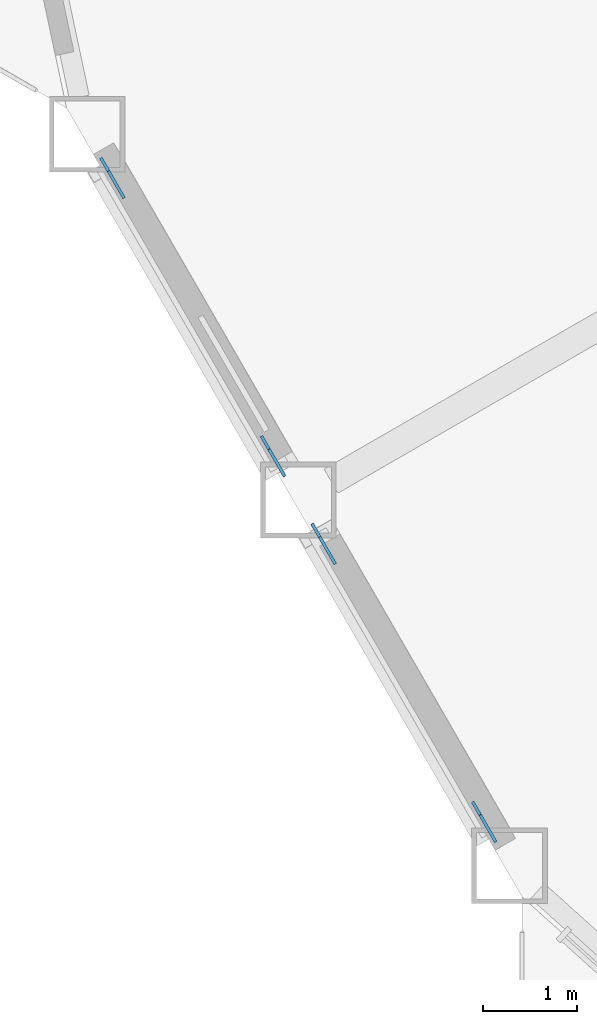
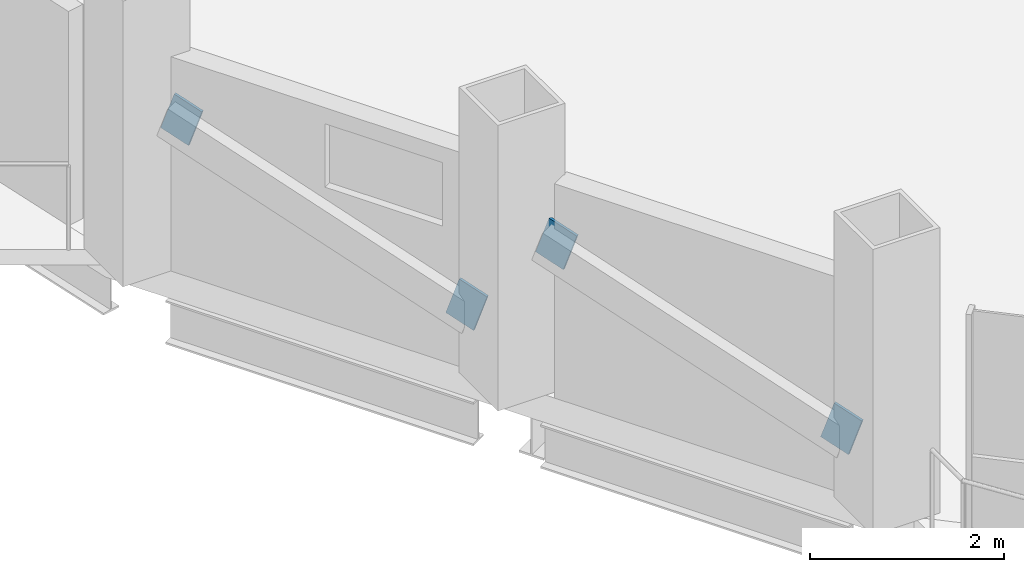
# One storey, part 15 of 22: 4 discrete accessories.
"""IFC4 building model written with IfcOpenShell, lengths in metres."""

from ifc_helpers import new_model, si_unit, direction, frame, origin, origin_2d, place, context, subcontext, project, spatial, rectangle, extrude, material, material_profile, profile_set, type_object, element, save


model = new_model("IFC4")

# Units and contexts
model_context = context("Model", 3, precision=1e-05, world=origin(), true_north=direction((0.0, 1.0)))
body_context = subcontext(model_context, "Body", "Model", "MODEL_VIEW")
ifc_project = project(units=[si_unit("LENGTHUNIT", "METRE"), si_unit("AREAUNIT", "SQUARE_METRE"), si_unit("VOLUMEUNIT", "CUBIC_METRE"), si_unit("PLANEANGLEUNIT", "RADIAN"), si_unit("MASSUNIT", "GRAM", prefix="KILO")], contexts=[model_context])

# Site, building, storey
site_placement = place(None, origin())
site = spatial("IfcSite", under=ifc_project, at=site_placement, CompositionType="ELEMENT")
building_placement = place(site_placement, origin())
building = spatial("IfcBuilding", under=site, at=building_placement, Name="Cormorant Prow Tower", CompositionType="ELEMENT")
storey_placement = place(building_placement, frame((0.0, 0.0, 198.0)))
storey = spatial("IfcBuildingStorey", under=building, at=storey_placement, Name="L43", CompositionType="ELEMENT", Elevation=198.0)

# Discrete accessories
ifc_material = material(Name="Structural steel ASTM A500 Gr C", Category="steel")
ifc_material_profile = material_profile(ifc_material, rectangle(XDim=0.031982421875, YDim=0.506103515625, at=origin_2d()), Name="Gusset plate 32x506")
ifc_profile_set = profile_set([ifc_material_profile], Name="Structural steel ASTM A500 Gr C")
discrete_accessory_type = type_object("IfcDiscreteAccessoryType", Name="Gusset plate 32x506", PredefinedType="BRACKET", material=ifc_profile_set)
discrete_accessory_1_placement = place(storey_placement, frame((-28.40966796875, -15.59228515625, 0.83544921875), z_axis=(0.4742777402, -0.820918970906, -0.31804507284), x_axis=(0.86587923604, 0.500253084543, 0.0)))
element("IfcDiscreteAccessory", 1, at=discrete_accessory_1_placement, inside=storey, type_object=discrete_accessory_type, Name="Gusset plate GP2 L43.WSW00.g0", PredefinedType="BRACKET", context=body_context, shape_type="SweptSolid", body=[
    extrude(rectangle(XDim=0.031982421875, YDim=0.506103515625, at=origin_2d()), origin(), (0.0, 0.0, 1.0), 0.35009765625),
])
for number, where, z_axis, x_axis, name in (
    (2, (-29.943359375, -12.935791015625, 1.865478515625), (-0.47373689254, 0.821190460264, 0.318150254784), (-0.866197837791, -0.499701216534, 0.0), "Gusset plate GP2 L43.WSW00.g1"),
    (3, (-26.17431640625, -19.463623046875, 0.83544921875), (0.47373689254, -0.821190460264, -0.318150254784), (0.866197837791, 0.499701216534, 0.0), "Gusset plate GP2 L43.WSW01.g0"),
):
    element("IfcDiscreteAccessory", number, at=place(storey_placement, frame(where, z_axis=z_axis, x_axis=x_axis)), inside=storey, type_object=discrete_accessory_type, Name=name, PredefinedType="BRACKET", context=body_context, shape_type="SweptSolid", body=[
        extrude(rectangle(XDim=0.031982421875, YDim=0.506103515625, at=origin_2d()), origin(), (0.0, 0.0, 1.0), 0.349853515625),
    ])
discrete_accessory_2_placement = place(storey_placement, frame((-27.7080078125, -16.807373046875, 1.865478515625), z_axis=(-0.4742777402, 0.820918970906, 0.31804507284), x_axis=(-0.86587923604, -0.500253084543, 0.0)))
element("IfcDiscreteAccessory", 4, at=discrete_accessory_2_placement, inside=storey, type_object=discrete_accessory_type, Name="Gusset plate GP2 L43.WSW01.g1", PredefinedType="BRACKET", context=body_context, shape_type="SweptSolid", body=[
    extrude(rectangle(XDim=0.031982421875, YDim=0.506103515625, at=origin_2d()), origin(), (0.0, 0.0, 1.0), 0.35009765625),
])

save(model, "model.ifc")
